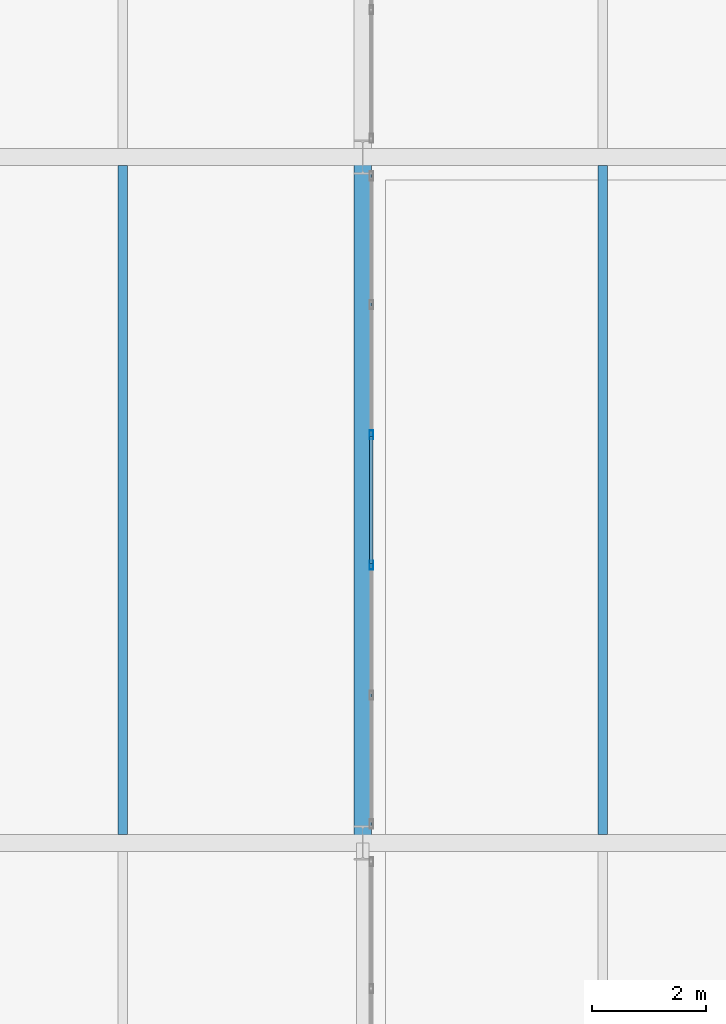
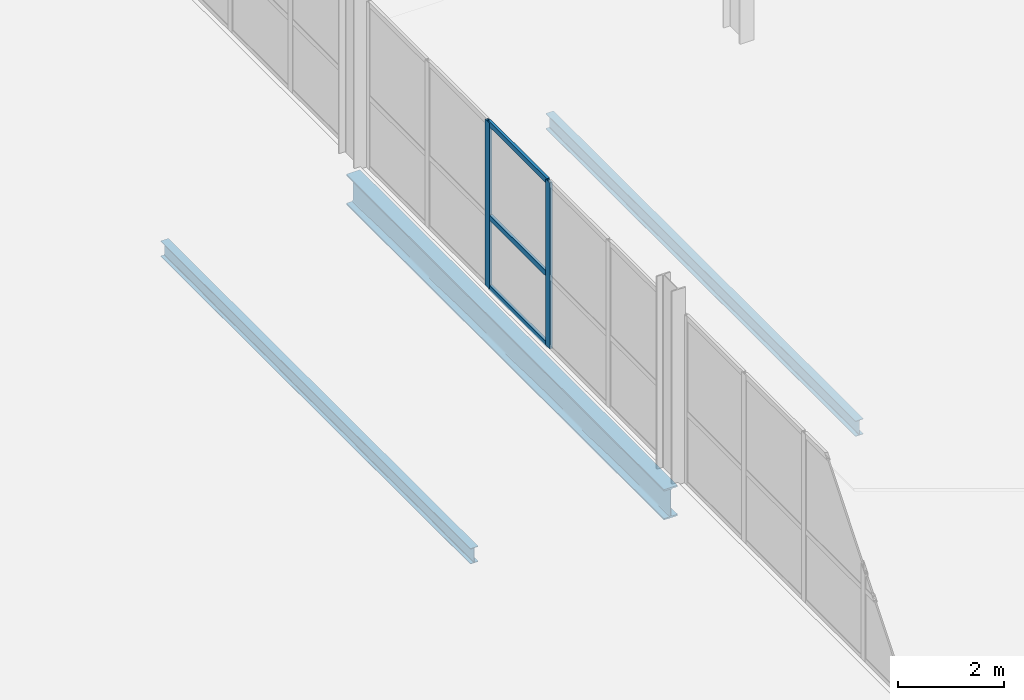
# One storey, part 40 of 130: 5 members, 3 beams, 1 element without a shape of its own.
"""IFC4 building model written with IfcOpenShell, lengths in metres."""

import ifcopenshell
import ifcopenshell.guid

model = None  # the IFC model being written
_history = None  # IfcOwnerHistory: only IFC2X3 demands one
_inside = {}  # id of a spatial element -> (the spatial element, [elements in it])
_under = {}  # id of a project, library or spatial element -> (it, [spatial elements below it])
_declared = {}  # id of a project -> (the project, [libraries it declares])
_typed = {}  # id of a type object -> (the type object, [elements of that type])
_made_of = {}  # id of a material, layer set ... -> (it, [elements and type objects made of it])


def new_model(schema):
    """Start an empty IFC model of exactly this schema.

    Asked for "IFC4X3", IfcOpenShell would pick the latest addendum, in which some entities
    have other attributes; the version numbers below select the first issue.
    IFC2X3 requires an IfcOwnerHistory on every rooted entity: one is made here for all.
    """
    global model, _history
    if schema == "IFC4X3":
        model = ifcopenshell.file(schema_version=(4, 3, 0, 0))
    else:
        model = ifcopenshell.file(schema=schema)
    _inside.clear()
    _under.clear()
    _declared.clear()
    _typed.clear()
    _made_of.clear()
    _history = None
    if model.schema == "IFC2X3":
        org = make("IfcOrganization", Name="unknown")
        user = make(
            "IfcPersonAndOrganization",
            ThePerson=make("IfcPerson", FamilyName="unknown"),
            TheOrganization=org,
        )
        app = make(
            "IfcApplication",
            ApplicationDeveloper=org,
            Version="unknown",
            ApplicationFullName="unknown",
            ApplicationIdentifier="unknown",
        )
        _history = make(
            "IfcOwnerHistory",
            OwningUser=user,
            OwningApplication=app,
            ChangeAction="ADDED",
            CreationDate=0,
        )
    return model


def make(cls, **values):
    """One entity of the class cls with the attributes given. An attribute that is None is left unset."""
    return model.create_entity(
        cls, **{name: value for name, value in values.items() if value is not None}
    )


def rooted(cls, **values):
    """An entity with a GlobalId (a new one), such as an element, a storey or a relation."""
    return make(cls, GlobalId=ifcopenshell.guid.new(), OwnerHistory=_history, **values)


def si_unit(unit_type, name, prefix=None):
    """IfcSIUnit, for example si_unit("LENGTHUNIT", "METRE", prefix="MILLI")."""
    return make("IfcSIUnit", UnitType=unit_type, Prefix=prefix, Name=name)


def assignment(units):
    """IfcUnitAssignment: the units of a project."""
    return None if units is None else make("IfcUnitAssignment", Units=units)


def point(xyz):
    """IfcCartesianPoint."""
    return None if xyz is None else make("IfcCartesianPoint", Coordinates=xyz)


def direction(xyz):
    """IfcDirection."""
    return None if xyz is None else make("IfcDirection", DirectionRatios=xyz)


def frame(location, z_axis=None, x_axis=None):
    """IfcAxis2Placement3D, a coordinate frame: its origin and axes. An axis left out is left unset."""
    return make(
        "IfcAxis2Placement3D",
        Location=point(location),
        Axis=direction(z_axis),
        RefDirection=direction(x_axis),
    )


def frame_2d(location, x_axis=None):
    """IfcAxis2Placement2D, a coordinate frame in the plane: its origin and x axis."""
    return make(
        "IfcAxis2Placement2D", Location=point(location), RefDirection=direction(x_axis)
    )


def origin():
    """The frame at (0, 0, 0) with its axes left unset."""
    return frame((0.0, 0.0, 0.0))


def origin_2d():
    """The frame at (0, 0) in the plane with its x axis left unset."""
    return frame_2d((0.0, 0.0))


def place(relative_to, where):
    """IfcLocalPlacement: puts the frame where relative to a parent placement (None: the world)."""
    return make(
        "IfcLocalPlacement", PlacementRelTo=relative_to, RelativePlacement=where
    )


def context(
    kind, dimensions, precision=None, world=None, true_north=None, identifier=None
):
    """IfcGeometricRepresentationContext, for example the 3D "Model" context."""
    return make(
        "IfcGeometricRepresentationContext",
        ContextIdentifier=identifier,
        ContextType=kind,
        CoordinateSpaceDimension=dimensions,
        Precision=precision,
        WorldCoordinateSystem=world,
        TrueNorth=true_north,
    )


def subcontext(parent, identifier, kind, view, scale=None):
    """IfcGeometricRepresentationSubContext, for example "Body" below "Model"."""
    return make(
        "IfcGeometricRepresentationSubContext",
        ContextIdentifier=identifier,
        ContextType=kind,
        ParentContext=parent,
        TargetScale=scale,
        TargetView=view,
    )


def project(units=None, contexts=None):
    """IfcProject with its units and contexts."""
    return rooted(
        "IfcProject",
        Name="project",
        RepresentationContexts=contexts,
        UnitsInContext=assignment(units),
    )


def spatial(cls, under=None, at=None, **own):
    """A site, building, storey or space (cls), placed at a placement, below another one or the project."""
    s = rooted(cls, ObjectPlacement=at, **own)
    if under is not None:
        _under.setdefault(under.id(), (under, []))[1].append(s)
    return s


def profile(cls, at=None, kind="AREA", **sizes):
    """A parametric profile (cls). Its sizes go by their IFC names, for example OverallWidth=200.0."""
    return make(cls, ProfileType=kind, Position=at, **sizes)


def hollow_rectangle(**sizes):
    """IfcRectangleHollowProfileDef."""
    return profile("IfcRectangleHollowProfileDef", **sizes)


def i_section(**sizes):
    """IfcIShapeProfileDef."""
    return profile("IfcIShapeProfileDef", **sizes)


def extrude(swept, where, along, depth):
    """IfcExtrudedAreaSolid: the profile swept, set in the frame where, extruded along a direction by depth."""
    return make(
        "IfcExtrudedAreaSolid",
        SweptArea=swept,
        Position=where,
        ExtrudedDirection=direction(along),
        Depth=depth,
    )


def shape(context_of_items, identifier, shape_type, items):
    """IfcShapeRepresentation: the items that make up one representation, for example the "Body"."""
    return make(
        "IfcShapeRepresentation",
        ContextOfItems=context_of_items,
        RepresentationIdentifier=identifier,
        RepresentationType=shape_type,
        Items=items,
    )


def material(Name=None, Category=None):
    """IfcMaterial."""
    return make("IfcMaterial", Name=Name, Category=Category)


def material_profile(
    of_material, cross_section, Name=None, Category=None, Priority=None
):
    """IfcMaterialProfile: a cross section and its material."""
    return make(
        "IfcMaterialProfile",
        Name=Name,
        Material=of_material,
        Profile=cross_section,
        Priority=Priority,
        Category=Category,
    )


def profile_set(profiles, Name=None, composite=None):
    """IfcMaterialProfileSet."""
    return make(
        "IfcMaterialProfileSet",
        Name=Name,
        MaterialProfiles=profiles,
        CompositeProfile=composite,
    )


def made_of(thing, what):
    """Note that an element or type object is made of a material, layer set ...; save() writes the relation."""
    if what is not None:
        _made_of.setdefault(what.id(), (what, []))[1].append(thing)
    return thing


def type_object(cls, material=None, **own):
    """A type object (cls), such as IfcWallType, which elements share."""
    return made_of(rooted(cls, **own), material)


def element(
    cls,
    number,
    at=None,
    inside=None,
    cuts=None,
    type_object=None,
    material=None,
    context=None,
    identifier="Body",
    shape_type=None,
    held_by="IfcProductDefinitionShape",
    body=None,
    shapes=None,
    **own,
):
    """One element of the class cls, such as IfcWall. Its Tag is "e" and its number.

    at: its placement. inside: the storey or other place that contains it. cuts: it is an
    opening in that element (IfcRelVoidsElement). A single representation is given by context,
    identifier, shape_type and body (its items); several are given by shapes. held_by: the class
    of the entity that holds the representations. save() writes the other relations.
    """
    e = rooted(cls, Tag="e%d" % number, ObjectPlacement=at, **own)
    if body is not None:
        shapes = [shape(context, identifier, shape_type, body)]
    if shapes is not None:
        e.Representation = make(held_by, Representations=shapes)
    if inside is not None:
        _inside.setdefault(inside.id(), (inside, []))[1].append(e)
    if cuts is not None:
        rooted(
            "IfcRelVoidsElement", RelatingBuildingElement=cuts, RelatedOpeningElement=e
        )
    if type_object is not None:
        _typed.setdefault(type_object.id(), (type_object, []))[1].append(e)
    return made_of(e, material)


def aggregate(whole, parts):
    """IfcRelAggregates: a whole, such as a stair, and the parts it consists of."""
    return rooted("IfcRelAggregates", RelatingObject=whole, RelatedObjects=parts)


def save(model, path):
    """Write the relations noted so far, then the file.

    IfcRelAggregates (storeys below a building ...), IfcRelContainedInSpatialStructure (elements
    in a storey), IfcRelDefinesByType, IfcRelAssociatesMaterial and IfcRelDeclares: one each for
    every whole, place, type object, material and project.
    """
    for whole, parts in _under.values():
        aggregate(whole, parts)
    for where, things in _inside.values():
        rooted(
            "IfcRelContainedInSpatialStructure",
            RelatedElements=things,
            RelatingStructure=where,
        )
    for kind, things in _typed.values():
        rooted("IfcRelDefinesByType", RelatedObjects=things, RelatingType=kind)
    for what, things in _made_of.values():
        rooted("IfcRelAssociatesMaterial", RelatedObjects=things, RelatingMaterial=what)
    for by, libraries in _declared.values():
        rooted("IfcRelDeclares", RelatingContext=by, RelatedDefinitions=libraries)
    model.write(path)


model = new_model("IFC4")

# Units and contexts
model_context = context("Model", 3, precision=1e-05, world=origin(), true_north=direction((0.0, 1.0)))
body_context = subcontext(model_context, "Body", "Model", "MODEL_VIEW")
ifc_project = project(units=[si_unit("LENGTHUNIT", "METRE"), si_unit("AREAUNIT", "SQUARE_METRE"), si_unit("VOLUMEUNIT", "CUBIC_METRE"), si_unit("PLANEANGLEUNIT", "RADIAN"), si_unit("MASSUNIT", "GRAM", prefix="KILO")], contexts=[model_context])

# Site, building, storey
site_placement = place(None, origin())
site = spatial("IfcSite", under=ifc_project, at=site_placement, CompositionType="ELEMENT")
building_placement = place(site_placement, origin())
building = spatial("IfcBuilding", under=site, at=building_placement, Name="Veltarok Museum of Natural Sciences", CompositionType="ELEMENT")
storey_placement = place(building_placement, frame((0.0, 0.0, 12.89990234375)))
storey = spatial("IfcBuildingStorey", under=building, at=storey_placement, Name="L02", CompositionType="ELEMENT", Elevation=12.89990234375)

# Curtain wall, members
ifc_material_1 = material(Name="Low-iron triple insulated glass", Category="glass")
curtain_wall_type = type_object("IfcCurtainWallType", Name="Curtain Wall System CW-V2W-L02-1-1140x383 (CW-V2W L02 1140x383cm)", PredefinedType="NOTDEFINED", material=ifc_material_1)
curtain_wall_placement = place(storey_placement, origin())
curtain_wall = element("IfcCurtainWall", 1, at=curtain_wall_placement, inside=storey, type_object=curtain_wall_type, Name="Curtain Wall CW-V2W-L02-1-1140x383 CW-0141", PredefinedType="NOTDEFINED")
ifc_material_2 = material(Name="Thermally broken anodised aluminium", Category="aluminium")
ifc_material_profile_1 = material_profile(ifc_material_2, hollow_rectangle(XDim=0.06005859375, YDim=0.1201171875, WallThickness=0.0048828125, at=origin_2d()), Name="CW TRANSOM 60x120x5")
ifc_profile_set_1 = profile_set([ifc_material_profile_1], Name="Thermally broken anodised aluminium")
member_type_1 = type_object("IfcMemberType", Name="Curtain Wall Horizontal Transom 60x120x5", PredefinedType="USERDEFINED", material=ifc_profile_set_1)
member_1_placement = place(storey_placement, frame((40.14990234375, 40.889892578125, 0.028076171875), z_axis=(0.0, 1.0, 0.0), x_axis=(-1.0, 0.0, 0.0)))
member_1 = element("IfcMember", 2, at=member_1_placement, type_object=member_type_1, Name="CW-V2W-L02-1-1140x383 transom 3.1", ObjectType="TRANSOM", PredefinedType="USERDEFINED", context=body_context, shape_type="SweptSolid", body=[
    extrude(hollow_rectangle(XDim=0.06005859375, YDim=0.1201171875, WallThickness=0.0048828125, at=origin_2d()), origin(), (0.0, 0.0, 1.0), 2.22021484375),
])
member_2_placement = place(storey_placement, frame((40.14990234375, 40.889892578125, 1.648193359375), z_axis=(0.0, 1.0, 0.0), x_axis=(-1.0, 0.0, 0.0)))
member_2 = element("IfcMember", 3, at=member_2_placement, type_object=member_type_1, Name="CW-V2W-L02-1-1140x383 transom 3.2", ObjectType="TRANSOM", PredefinedType="USERDEFINED", context=body_context, shape_type="SweptSolid", body=[
    extrude(hollow_rectangle(XDim=0.06005859375, YDim=0.1201171875, WallThickness=0.0048828125, at=origin_2d()), origin(), (0.0, 0.0, 1.0), 2.22021484375),
])
member_3_placement = place(storey_placement, frame((40.14990234375, 40.889892578125, 3.800048828125), z_axis=(0.0, 1.0, 0.0), x_axis=(-1.0, 0.0, 0.0)))
member_3 = element("IfcMember", 4, at=member_3_placement, type_object=member_type_1, Name="CW-V2W-L02-1-1140x383 transom 3.3", ObjectType="TRANSOM", PredefinedType="USERDEFINED", context=body_context, shape_type="SweptSolid", body=[
    extrude(hollow_rectangle(XDim=0.06005859375, YDim=0.1201171875, WallThickness=0.0048828125, at=origin_2d()), origin(), (0.0, 0.0, 1.0), 2.22021484375),
])
ifc_material_profile_2 = material_profile(ifc_material_2, hollow_rectangle(XDim=0.06005859375, YDim=0.159912109375, WallThickness=0.0048828125, at=origin_2d()), Name="CW MULLION 60x160x5")
ifc_profile_set_2 = profile_set([ifc_material_profile_2], Name="Thermally broken anodised aluminium")
member_type_2 = type_object("IfcMemberType", Name="Curtain Wall Vertical Mullion 60x160x5", PredefinedType="MULLION", material=ifc_profile_set_2)
member_4_placement = place(storey_placement, frame((40.14990234375, 40.860107421875, -0.001953125), z_axis=(0.0, 0.0, 1.0), x_axis=(-1.0, 0.0, 0.0)))
member_4 = element("IfcMember", 5, at=member_4_placement, type_object=member_type_2, Name="CW-V2W-L02-1-1140x383 mullion 3", PredefinedType="MULLION", context=body_context, shape_type="SweptSolid", body=[
    extrude(hollow_rectangle(XDim=0.06005859375, YDim=0.159912109375, WallThickness=0.0048828125, at=origin_2d()), origin(), (0.0, 0.0, 1.0), 3.83203125),
])
member_5_placement = place(storey_placement, frame((40.14990234375, 43.139892578125, -0.001953125), z_axis=(0.0, 0.0, 1.0), x_axis=(-1.0, 0.0, 0.0)))
member_5 = element("IfcMember", 6, at=member_5_placement, type_object=member_type_2, Name="CW-V2W-L02-1-1140x383 mullion 4", PredefinedType="MULLION", context=body_context, shape_type="SweptSolid", body=[
    extrude(hollow_rectangle(XDim=0.06005859375, YDim=0.159912109375, WallThickness=0.0048828125, at=origin_2d()), origin(), (0.0, 0.0, 1.0), 3.83203125),
])
aggregate(curtain_wall, [member_4, member_5, member_1, member_2, member_3])

# Beams
ifc_material_3 = material(Name="Steel S355J2", Category="steel")
ifc_material_profile_3 = material_profile(ifc_material_3, i_section(OverallWidth=0.169921875, OverallDepth=0.360107421875, WebThickness=0.008056640625, FlangeThickness=0.0126953125, FilletRadius=0.01806640625, at=origin_2d()), Name="IPE 360")
ifc_profile_set_3 = profile_set([ifc_material_profile_3], Name="Steel S355J2")
beam_type_1 = type_object("IfcBeamType", Name="Long-Bay Composite Joist IPE 360", PredefinedType="JOIST", material=ifc_profile_set_3)
for number, where, z_axis, x_axis, name in (
    (7, (35.800048828125, 36.14794921875, -0.429931640625), (0.0, 1.0, 0.0), (-1.0, 0.0, 0.0), "Secondary Joist BM-J01 L02 4-5/E-F.1"),
    (8, (44.199951171875, 36.14794921875, -0.429931640625), (0.0, 1.0, 0.0), (-1.0, 0.0, 0.0), "Secondary Joist BM-J01 L02 5-6/E-F.1"),
):
    element("IfcBeam", number, at=place(storey_placement, frame(where, z_axis=z_axis, x_axis=x_axis)), inside=storey, type_object=beam_type_1, Name=name, PredefinedType="JOIST", context=body_context, shape_type="SweptSolid", body=[
        extrude(i_section(OverallWidth=0.169921875, OverallDepth=0.360107421875, WebThickness=0.008056640625, FlangeThickness=0.0126953125, FilletRadius=0.01806640625, at=origin_2d()), origin(), (0.0, 0.0, 1.0), 11.7041015625),
    ])
ifc_material_profile_4 = material_profile(ifc_material_3, i_section(OverallWidth=0.300048828125, OverallDepth=0.699951171875, WebThickness=0.01708984375, FlangeThickness=0.031982421875, FilletRadius=0.027099609375, at=origin_2d()), Name="HEB 700")
ifc_profile_set_4 = profile_set([ifc_material_profile_4], Name="Steel S355J2")
beam_type_2 = type_object("IfcBeamType", Name="Long-Span Hall Girder HEB 700", PredefinedType="BEAM", material=ifc_profile_set_4)
beam_placement = place(storey_placement, frame((40.0, 36.0, -0.599853515625), z_axis=(0.0, 1.0, 0.0), x_axis=(-1.0, 0.0, 0.0)))
element("IfcBeam", 9, at=beam_placement, inside=storey, type_object=beam_type_2, Name="Beam BM-G01 L02 5/E-F", PredefinedType="BEAM", context=body_context, shape_type="SweptSolid", body=[
    extrude(i_section(OverallWidth=0.300048828125, OverallDepth=0.699951171875, WebThickness=0.01708984375, FlangeThickness=0.031982421875, FilletRadius=0.027099609375, at=origin_2d()), origin(), (0.0, 0.0, 1.0), 12.0),
])

save(model, "model.ifc")
